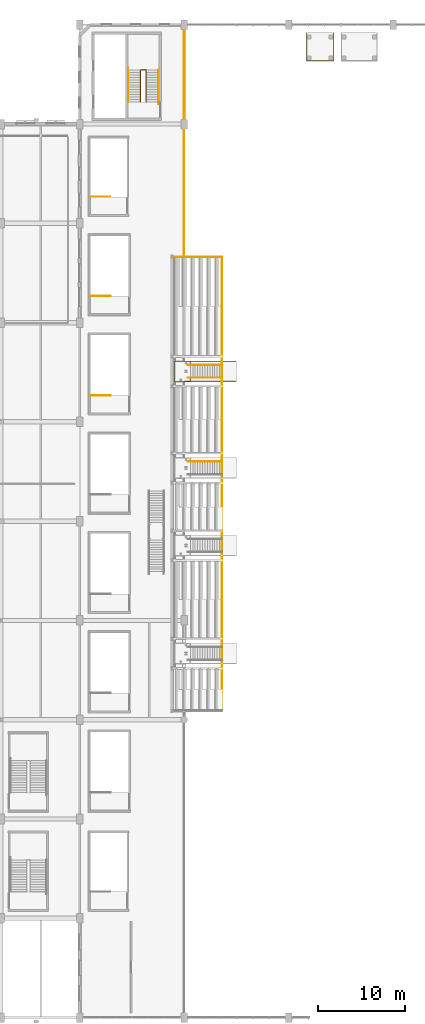
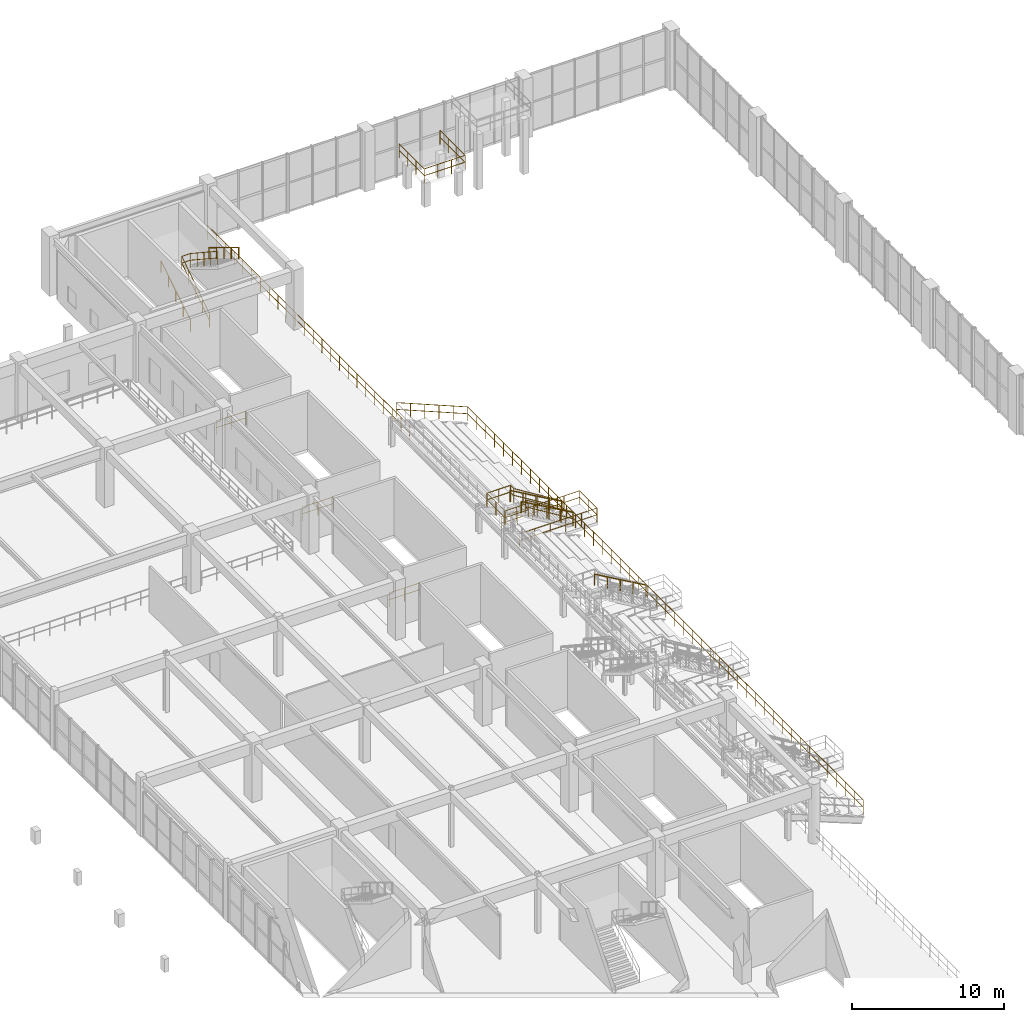
# One storey, part 104 of 106: 15 railings.
"""IFC4 building model written with IfcOpenShell, lengths in metres."""

from ifc_helpers import new_model, si_unit, direction, frame, origin, origin_2d, place, context, subcontext, project, spatial, circle, extrude, material, layer, layer_set, type_object, element, save


model = new_model("IFC4")

# Units and contexts
model_context = context("Model", 3, precision=1e-05, world=origin(), true_north=direction((0.0, 1.0)))
body_context = subcontext(model_context, "Body", "Model", "MODEL_VIEW")
ifc_project = project(units=[si_unit("LENGTHUNIT", "METRE"), si_unit("AREAUNIT", "SQUARE_METRE"), si_unit("VOLUMEUNIT", "CUBIC_METRE"), si_unit("PLANEANGLEUNIT", "RADIAN"), si_unit("MASSUNIT", "GRAM", prefix="KILO"), si_unit("POWERUNIT", "WATT"), si_unit("THERMODYNAMICTEMPERATUREUNIT", "KELVIN")], contexts=[model_context])

# Site, building, storey
site_placement = place(None, origin())
site = spatial("IfcSite", under=ifc_project, at=site_placement, CompositionType="ELEMENT")
building_placement = place(site_placement, origin())
building = spatial("IfcBuilding", under=site, at=building_placement, Name="Kelmbourne Parkland Aquatics Centre", CompositionType="ELEMENT")
storey_placement = place(building_placement, frame((0.0, 0.0, 5.39990234375)))
storey = spatial("IfcBuildingStorey", under=building, at=storey_placement, Name="L01", CompositionType="ELEMENT", Elevation=5.39990234375)

# Railings
ifc_material_1 = material(Name="Grade 316 stainless steel and laminated glass balustrade", Category="glass")
ifc_layer = layer(ifc_material_1, 0.06005859375)
ifc_layer_set = layer_set([ifc_layer], Name="Grade 316 stainless steel and laminated glass balustrade")
railing_type_1 = type_object("IfcRailingType", Name="RL-BL-114", PredefinedType="BALUSTRADE", material=ifc_layer_set)
railing_1_placement = place(storey_placement, frame((139.949951171875, 88.14990234375, 0.0)))
element("IfcRailing", 1, at=railing_1_placement, inside=storey, type_object=railing_type_1, Name="Safety balustrade BAL-CONC-N", PredefinedType="BALUSTRADE", context=body_context, shape_type="SweptSolid", body=[
    extrude(circle(Radius=0.02392578125, at=origin_2d()), frame((0.0, 0.0, 1.11572265625), z_axis=(0.0, 1.0, 0.0), x_axis=(-1.0, 0.0, 0.0)), (0.0, 0.0, 1.0), 26.60009765625),
    extrude(circle(Radius=0.02392578125, at=origin_2d()), frame((0.0, 0.0, 0.56982421875), z_axis=(0.0, 1.0, 0.0), x_axis=(-1.0, 0.0, 0.0)), (0.0, 0.0, 1.0), 26.60009765625),
    extrude(circle(Radius=0.02099609375, at=origin_2d()), origin(), (0.0, 0.0, 1.0), 1.091796875),
    extrude(circle(Radius=0.02099609375, at=origin_2d()), frame((0.0, 1.156494140625, 0.0)), (0.0, 0.0, 1.0), 1.091796875),
    extrude(circle(Radius=0.02099609375, at=origin_2d()), frame((0.0, 2.31298828125, 0.0)), (0.0, 0.0, 1.0), 1.091796875),
    extrude(circle(Radius=0.02099609375, at=origin_2d()), frame((0.0, 3.469482421875, 0.0)), (0.0, 0.0, 1.0), 1.091796875),
    extrude(circle(Radius=0.02099609375, at=origin_2d()), frame((0.0, 4.626220703125, 0.0)), (0.0, 0.0, 1.0), 1.091796875),
    extrude(circle(Radius=0.02099609375, at=origin_2d()), frame((0.0, 5.78271484375, 0.0)), (0.0, 0.0, 1.0), 1.091796875),
    extrude(circle(Radius=0.02099609375, at=origin_2d()), frame((0.0, 6.939208984375, 0.0)), (0.0, 0.0, 1.0), 1.091796875),
    extrude(circle(Radius=0.02099609375, at=origin_2d()), frame((0.0, 8.095703125, 0.0)), (0.0, 0.0, 1.0), 1.091796875),
    extrude(circle(Radius=0.02099609375, at=origin_2d()), frame((0.0, 9.252197265625, 0.0)), (0.0, 0.0, 1.0), 1.091796875),
    extrude(circle(Radius=0.02099609375, at=origin_2d()), frame((0.0, 10.40869140625, 0.0)), (0.0, 0.0, 1.0), 1.091796875),
    extrude(circle(Radius=0.02099609375, at=origin_2d()), frame((0.0, 11.565185546875, 0.0)), (0.0, 0.0, 1.0), 1.091796875),
    extrude(circle(Radius=0.02099609375, at=origin_2d()), frame((0.0, 12.7216796875, 0.0)), (0.0, 0.0, 1.0), 1.091796875),
    extrude(circle(Radius=0.02099609375, at=origin_2d()), frame((0.0, 13.87841796875, 0.0)), (0.0, 0.0, 1.0), 1.091796875),
    extrude(circle(Radius=0.02099609375, at=origin_2d()), frame((0.0, 15.034912109375, 0.0)), (0.0, 0.0, 1.0), 1.091796875),
    extrude(circle(Radius=0.02099609375, at=origin_2d()), frame((0.0, 16.19140625, 0.0)), (0.0, 0.0, 1.0), 1.091796875),
    extrude(circle(Radius=0.02099609375, at=origin_2d()), frame((0.0, 17.347900390625, 0.0)), (0.0, 0.0, 1.0), 1.091796875),
    extrude(circle(Radius=0.02099609375, at=origin_2d()), frame((0.0, 18.50439453125, 0.0)), (0.0, 0.0, 1.0), 1.091796875),
    extrude(circle(Radius=0.02099609375, at=origin_2d()), frame((0.0, 19.660888671875, 0.0)), (0.0, 0.0, 1.0), 1.091796875),
    extrude(circle(Radius=0.02099609375, at=origin_2d()), frame((0.0, 20.8173828125, 0.0)), (0.0, 0.0, 1.0), 1.091796875),
    extrude(circle(Radius=0.02099609375, at=origin_2d()), frame((0.0, 21.973876953125, 0.0)), (0.0, 0.0, 1.0), 1.091796875),
    extrude(circle(Radius=0.02099609375, at=origin_2d()), frame((0.0, 23.130615234375, 0.0)), (0.0, 0.0, 1.0), 1.091796875),
    extrude(circle(Radius=0.02099609375, at=origin_2d()), frame((0.0, 24.287109375, 0.0)), (0.0, 0.0, 1.0), 1.091796875),
    extrude(circle(Radius=0.02099609375, at=origin_2d()), frame((0.0, 25.443603515625, 0.0)), (0.0, 0.0, 1.0), 1.091796875),
    extrude(circle(Radius=0.02099609375, at=origin_2d()), frame((0.0, 26.60009765625, 0.0)), (0.0, 0.0, 1.0), 1.091796875),
])
railing_2_placement = place(storey_placement, frame((144.35009765625, 36.050048828125, 0.0)))
element("IfcRailing", 2, at=railing_2_placement, inside=storey, type_object=railing_type_1, Name="Safety balustrade BAL-BOWL-FRT", PredefinedType="BALUSTRADE", context=body_context, shape_type="SweptSolid", body=[
    extrude(circle(Radius=0.02392578125, at=origin_2d()), frame((0.0, 0.0, 1.11572265625), z_axis=(0.0, 1.0, 0.0), x_axis=(-1.0, 0.0, 0.0)), (0.0, 0.0, 1.0), 52.099853515625),
    extrude(circle(Radius=0.02392578125, at=origin_2d()), frame((0.0, 0.0, 0.56982421875), z_axis=(0.0, 1.0, 0.0), x_axis=(-1.0, 0.0, 0.0)), (0.0, 0.0, 1.0), 52.099853515625),
    extrude(circle(Radius=0.02099609375, at=origin_2d()), origin(), (0.0, 0.0, 1.0), 1.091796875),
    extrude(circle(Radius=0.02099609375, at=origin_2d()), frame((0.0, 1.18408203125, 0.0)), (0.0, 0.0, 1.0), 1.091796875),
    extrude(circle(Radius=0.02099609375, at=origin_2d()), frame((0.0, 2.3681640625, 0.0)), (0.0, 0.0, 1.0), 1.091796875),
    extrude(circle(Radius=0.02099609375, at=origin_2d()), frame((0.0, 3.55224609375, 0.0)), (0.0, 0.0, 1.0), 1.091796875),
    extrude(circle(Radius=0.02099609375, at=origin_2d()), frame((0.0, 4.736328125, 0.0)), (0.0, 0.0, 1.0), 1.091796875),
    extrude(circle(Radius=0.02099609375, at=origin_2d()), frame((0.0, 5.92041015625, 0.0)), (0.0, 0.0, 1.0), 1.091796875),
    extrude(circle(Radius=0.02099609375, at=origin_2d()), frame((0.0, 7.1044921875, 0.0)), (0.0, 0.0, 1.0), 1.091796875),
    extrude(circle(Radius=0.02099609375, at=origin_2d()), frame((0.0, 8.28857421875, 0.0)), (0.0, 0.0, 1.0), 1.091796875),
    extrude(circle(Radius=0.02099609375, at=origin_2d()), frame((0.0, 9.47265625, 0.0)), (0.0, 0.0, 1.0), 1.091796875),
    extrude(circle(Radius=0.02099609375, at=origin_2d()), frame((0.0, 10.65673828125, 0.0)), (0.0, 0.0, 1.0), 1.091796875),
    extrude(circle(Radius=0.02099609375, at=origin_2d()), frame((0.0, 11.8408203125, 0.0)), (0.0, 0.0, 1.0), 1.091796875),
    extrude(circle(Radius=0.02099609375, at=origin_2d()), frame((0.0, 13.02490234375, 0.0)), (0.0, 0.0, 1.0), 1.091796875),
    extrude(circle(Radius=0.02099609375, at=origin_2d()), frame((0.0, 14.208984375, 0.0)), (0.0, 0.0, 1.0), 1.091796875),
    extrude(circle(Radius=0.02099609375, at=origin_2d()), frame((0.0, 15.39306640625, 0.0)), (0.0, 0.0, 1.0), 1.091796875),
    extrude(circle(Radius=0.02099609375, at=origin_2d()), frame((0.0, 16.5771484375, 0.0)), (0.0, 0.0, 1.0), 1.091796875),
    extrude(circle(Radius=0.02099609375, at=origin_2d()), frame((0.0, 17.76123046875, 0.0)), (0.0, 0.0, 1.0), 1.091796875),
    extrude(circle(Radius=0.02099609375, at=origin_2d()), frame((0.0, 18.9453125, 0.0)), (0.0, 0.0, 1.0), 1.091796875),
    extrude(circle(Radius=0.02099609375, at=origin_2d()), frame((0.0, 20.12939453125, 0.0)), (0.0, 0.0, 1.0), 1.091796875),
    extrude(circle(Radius=0.02099609375, at=origin_2d()), frame((0.0, 21.3134765625, 0.0)), (0.0, 0.0, 1.0), 1.091796875),
    extrude(circle(Radius=0.02099609375, at=origin_2d()), frame((0.0, 22.49755859375, 0.0)), (0.0, 0.0, 1.0), 1.091796875),
    extrude(circle(Radius=0.02099609375, at=origin_2d()), frame((0.0, 23.681640625, 0.0)), (0.0, 0.0, 1.0), 1.091796875),
    extrude(circle(Radius=0.02099609375, at=origin_2d()), frame((0.0, 24.86572265625, 0.0)), (0.0, 0.0, 1.0), 1.091796875),
    extrude(circle(Radius=0.02099609375, at=origin_2d()), frame((0.0, 26.0498046875, 0.0)), (0.0, 0.0, 1.0), 1.091796875),
    extrude(circle(Radius=0.02099609375, at=origin_2d()), frame((0.0, 27.234130859375, 0.0)), (0.0, 0.0, 1.0), 1.091796875),
    extrude(circle(Radius=0.02099609375, at=origin_2d()), frame((0.0, 28.418212890625, 0.0)), (0.0, 0.0, 1.0), 1.091796875),
    extrude(circle(Radius=0.02099609375, at=origin_2d()), frame((0.0, 29.602294921875, 0.0)), (0.0, 0.0, 1.0), 1.091796875),
    extrude(circle(Radius=0.02099609375, at=origin_2d()), frame((0.0, 30.786376953125, 0.0)), (0.0, 0.0, 1.0), 1.091796875),
    extrude(circle(Radius=0.02099609375, at=origin_2d()), frame((0.0, 31.970458984375, 0.0)), (0.0, 0.0, 1.0), 1.091796875),
    extrude(circle(Radius=0.02099609375, at=origin_2d()), frame((0.0, 33.154541015625, 0.0)), (0.0, 0.0, 1.0), 1.091796875),
    extrude(circle(Radius=0.02099609375, at=origin_2d()), frame((0.0, 34.338623046875, 0.0)), (0.0, 0.0, 1.0), 1.091796875),
    extrude(circle(Radius=0.02099609375, at=origin_2d()), frame((0.0, 35.522705078125, 0.0)), (0.0, 0.0, 1.0), 1.091796875),
    extrude(circle(Radius=0.02099609375, at=origin_2d()), frame((0.0, 36.706787109375, 0.0)), (0.0, 0.0, 1.0), 1.091796875),
    extrude(circle(Radius=0.02099609375, at=origin_2d()), frame((0.0, 37.890869140625, 0.0)), (0.0, 0.0, 1.0), 1.091796875),
    extrude(circle(Radius=0.02099609375, at=origin_2d()), frame((0.0, 39.074951171875, 0.0)), (0.0, 0.0, 1.0), 1.091796875),
    extrude(circle(Radius=0.02099609375, at=origin_2d()), frame((0.0, 40.259033203125, 0.0)), (0.0, 0.0, 1.0), 1.091796875),
    extrude(circle(Radius=0.02099609375, at=origin_2d()), frame((0.0, 41.443115234375, 0.0)), (0.0, 0.0, 1.0), 1.091796875),
    extrude(circle(Radius=0.02099609375, at=origin_2d()), frame((0.0, 42.627197265625, 0.0)), (0.0, 0.0, 1.0), 1.091796875),
    extrude(circle(Radius=0.02099609375, at=origin_2d()), frame((0.0, 43.811279296875, 0.0)), (0.0, 0.0, 1.0), 1.091796875),
    extrude(circle(Radius=0.02099609375, at=origin_2d()), frame((0.0, 44.995361328125, 0.0)), (0.0, 0.0, 1.0), 1.091796875),
    extrude(circle(Radius=0.02099609375, at=origin_2d()), frame((0.0, 46.179443359375, 0.0)), (0.0, 0.0, 1.0), 1.091796875),
    extrude(circle(Radius=0.02099609375, at=origin_2d()), frame((0.0, 47.363525390625, 0.0)), (0.0, 0.0, 1.0), 1.091796875),
    extrude(circle(Radius=0.02099609375, at=origin_2d()), frame((0.0, 48.547607421875, 0.0)), (0.0, 0.0, 1.0), 1.091796875),
    extrude(circle(Radius=0.02099609375, at=origin_2d()), frame((0.0, 49.731689453125, 0.0)), (0.0, 0.0, 1.0), 1.091796875),
    extrude(circle(Radius=0.02099609375, at=origin_2d()), frame((0.0, 50.915771484375, 0.0)), (0.0, 0.0, 1.0), 1.091796875),
    extrude(circle(Radius=0.02099609375, at=origin_2d()), frame((0.0, 52.099853515625, 0.0)), (0.0, 0.0, 1.0), 1.091796875),
])
railing_3_placement = place(storey_placement, frame((144.35009765625, 88.14990234375, 0.0)))
element("IfcRailing", 3, at=railing_3_placement, inside=storey, type_object=railing_type_1, Name="Safety balustrade BAL-BOWL-SN", PredefinedType="BALUSTRADE", context=body_context, shape_type="SweptSolid", body=[
    extrude(circle(Radius=0.02392578125, at=origin_2d()), frame((0.0, 0.0, 1.11572265625), z_axis=(-0.923834561314, 0.0, 0.382791984402), x_axis=(0.0, -1.0, 0.0)), (0.0, 0.0, 1.0), 5.8779296875),
    extrude(circle(Radius=0.02392578125, at=origin_2d()), frame((0.0, 0.0, 0.56982421875), z_axis=(-0.923834561314, 0.0, 0.382791984402), x_axis=(0.0, -1.0, 0.0)), (0.0, 0.0, 1.0), 5.8779296875),
    extrude(circle(Radius=0.02099609375, at=origin_2d()), origin(), (0.0, 0.0, 1.0), 1.091796875),
    extrude(circle(Radius=0.02099609375, at=origin_2d()), frame((-1.0859375, 0.0, 0.449951171875)), (0.0, 0.0, 1.0), 1.091796875),
    extrude(circle(Radius=0.02099609375, at=origin_2d()), frame((-2.172119140625, 0.0, 0.89990234375)), (0.0, 0.0, 1.0), 1.091796875),
    extrude(circle(Radius=0.02099609375, at=origin_2d()), frame((-3.258056640625, 0.0, 1.35009765625)), (0.0, 0.0, 1.0), 1.091796875),
    extrude(circle(Radius=0.02099609375, at=origin_2d()), frame((-4.34423828125, 0.0, 1.800048828125)), (0.0, 0.0, 1.0), 1.091796875),
    extrude(circle(Radius=0.02099609375, at=origin_2d()), frame((-5.43017578125, 0.0, 2.25)), (0.0, 0.0, 1.0), 1.091796875),
])
railing_4_placement = place(storey_placement, frame((154.050048828125, 113.949951171875, 2.10009765625)))
element("IfcRailing", 4, at=railing_4_placement, inside=storey, type_object=railing_type_1, Name="Safety balustrade BAL-DIVE-7M5", PredefinedType="BALUSTRADE", context=body_context, shape_type="SweptSolid", body=[
    extrude(circle(Radius=0.02392578125, at=origin_2d()), frame((0.0, 0.0, 1.11572265625), z_axis=(0.0, -1.0, 0.0), x_axis=(1.0, 0.0, 0.0)), (0.0, 0.0, 1.0), 3.300048828125),
    extrude(circle(Radius=0.02392578125, at=origin_2d()), frame((0.0, 0.0, 0.56982421875), z_axis=(0.0, -1.0, 0.0), x_axis=(1.0, 0.0, 0.0)), (0.0, 0.0, 1.0), 3.300048828125),
    extrude(circle(Radius=0.02392578125, at=origin_2d()), frame((0.0, -3.300048828125, 1.11572265625), z_axis=(1.0, 0.0, 0.0), x_axis=(0.0, 1.0, 0.0)), (0.0, 0.0, 1.0), 3.099853515625),
    extrude(circle(Radius=0.02392578125, at=origin_2d()), frame((0.0, -3.300048828125, 0.56982421875), z_axis=(1.0, 0.0, 0.0), x_axis=(0.0, 1.0, 0.0)), (0.0, 0.0, 1.0), 3.099853515625),
    extrude(circle(Radius=0.02392578125, at=origin_2d()), frame((3.099853515625, -3.300048828125, 1.11572265625), z_axis=(0.0, 1.0, 0.0), x_axis=(-1.0, 0.0, 0.0)), (0.0, 0.0, 1.0), 3.300048828125),
    extrude(circle(Radius=0.02392578125, at=origin_2d()), frame((3.099853515625, -3.300048828125, 0.56982421875), z_axis=(0.0, 1.0, 0.0), x_axis=(-1.0, 0.0, 0.0)), (0.0, 0.0, 1.0), 3.300048828125),
    extrude(circle(Radius=0.02099609375, at=origin_2d()), origin(), (0.0, 0.0, 1.0), 1.091796875),
    extrude(circle(Radius=0.02099609375, at=origin_2d()), frame((0.0, -1.10009765625, 0.0)), (0.0, 0.0, 1.0), 1.091796875),
    extrude(circle(Radius=0.02099609375, at=origin_2d()), frame((0.0, -2.199951171875, 0.0)), (0.0, 0.0, 1.0), 1.091796875),
    extrude(circle(Radius=0.02099609375, at=origin_2d()), frame((0.0, -3.300048828125, 0.0)), (0.0, 0.0, 1.0), 1.091796875),
    extrude(circle(Radius=0.02099609375, at=origin_2d()), frame((1.033203125, -3.300048828125, 0.0)), (0.0, 0.0, 1.0), 1.091796875),
    extrude(circle(Radius=0.02099609375, at=origin_2d()), frame((2.066650390625, -3.300048828125, 0.0)), (0.0, 0.0, 1.0), 1.091796875),
    extrude(circle(Radius=0.02099609375, at=origin_2d()), frame((3.099853515625, -3.300048828125, 0.0)), (0.0, 0.0, 1.0), 1.091796875),
    extrude(circle(Radius=0.02099609375, at=origin_2d()), frame((3.099853515625, -2.199951171875, 0.0)), (0.0, 0.0, 1.0), 1.091796875),
    extrude(circle(Radius=0.02099609375, at=origin_2d()), frame((3.099853515625, -1.10009765625, 0.0)), (0.0, 0.0, 1.0), 1.091796875),
    extrude(circle(Radius=0.02099609375, at=origin_2d()), frame((3.099853515625, 0.0, 0.0)), (0.0, 0.0, 1.0), 1.091796875),
])
ifc_material_2 = material(Name="Grade 316 marine stainless steel", Category="steel")
railing_type_2 = type_object("IfcRailingType", Name="RL-GD-112", PredefinedType="GUARDRAIL", material=ifc_material_2)
railing_5_placement = place(storey_placement, frame((134.9951171875, 105.949951171875, 0.0)))
element("IfcRailing", 5, at=railing_5_placement, inside=storey, type_object=railing_type_2, Name="North Diving Control Fire-Fighting Core Stair ST05 well guardrail", PredefinedType="GUARDRAIL", context=body_context, shape_type="SweptSolid", body=[
    extrude(circle(Radius=0.02392578125, at=origin_2d()), frame((0.0, 0.0, 1.09619140625), z_axis=(0.0, 0.834856447115, 0.55046772177), x_axis=(-1.0, 0.0, 0.0)), (0.0, 0.0, 1.0), 4.360107421875),
    extrude(circle(Radius=0.02392578125, at=origin_2d()), frame((0.0, 0.0, 0.56005859375), z_axis=(0.0, 0.834856447115, 0.55046772177), x_axis=(-1.0, 0.0, 0.0)), (0.0, 0.0, 1.0), 4.360107421875),
    extrude(circle(Radius=0.02392578125, at=origin_2d()), frame((0.0, 3.64013671875, 3.49609375), z_axis=(1.0, 0.0, 0.0), x_axis=(0.0, 1.0, 0.0)), (0.0, 0.0, 1.0), 0.634765625),
    extrude(circle(Radius=0.02392578125, at=origin_2d()), frame((0.0, 3.64013671875, 2.960205078125), z_axis=(1.0, 0.0, 0.0), x_axis=(0.0, 1.0, 0.0)), (0.0, 0.0, 1.0), 0.634765625),
    extrude(circle(Radius=0.02392578125, at=origin_2d()), frame((0.634765625, 3.64013671875, 3.49609375), z_axis=(0.0, -0.83488217925, 0.55042869363), x_axis=(1.0, 0.0, 0.0)), (0.0, 0.0, 1.0), 4.360107421875),
    extrude(circle(Radius=0.02392578125, at=origin_2d()), frame((0.634765625, 3.64013671875, 2.960205078125), z_axis=(0.0, -0.83488217925, 0.55042869363), x_axis=(1.0, 0.0, 0.0)), (0.0, 0.0, 1.0), 4.360107421875),
    extrude(circle(Radius=0.02099609375, at=origin_2d()), origin(), (0.0, 0.0, 1.0), 1.072021484375),
    extrude(circle(Radius=0.02099609375, at=origin_2d()), frame((0.0, 0.91015625, 0.60009765625)), (0.0, 0.0, 1.0), 1.072021484375),
    extrude(circle(Radius=0.02099609375, at=origin_2d()), frame((0.0, 1.820068359375, 1.2001953125)), (0.0, 0.0, 1.0), 1.072021484375),
    extrude(circle(Radius=0.02099609375, at=origin_2d()), frame((0.0, 2.72998046875, 1.800048828125)), (0.0, 0.0, 1.0), 1.072021484375),
    extrude(circle(Radius=0.02099609375, at=origin_2d()), frame((0.0, 3.64013671875, 2.400146484375)), (0.0, 0.0, 1.0), 1.072021484375),
    extrude(circle(Radius=0.02099609375, at=origin_2d()), frame((0.634765625, 3.64013671875, 2.400146484375)), (0.0, 0.0, 1.0), 1.072021484375),
    extrude(circle(Radius=0.02099609375, at=origin_2d()), frame((0.634765625, 2.72998046875, 3.0)), (0.0, 0.0, 1.0), 1.072021484375),
    extrude(circle(Radius=0.02099609375, at=origin_2d()), frame((0.634765625, 1.820068359375, 3.60009765625)), (0.0, 0.0, 1.0), 1.072021484375),
    extrude(circle(Radius=0.02099609375, at=origin_2d()), frame((0.634765625, 0.91015625, 4.2001953125)), (0.0, 0.0, 1.0), 1.072021484375),
    extrude(circle(Radius=0.02099609375, at=origin_2d()), frame((0.634765625, 0.0, 4.800048828125)), (0.0, 0.0, 1.0), 1.072021484375),
])
railing_6_placement = place(storey_placement, frame((129.219970703125, 95.050048828125, 0.0)))
element("IfcRailing", 6, at=railing_6_placement, inside=storey, type_object=railing_type_2, Name="Main Bowl North Concourse Exit Stair top well guardrail", PredefinedType="GUARDRAIL", context=body_context, shape_type="SweptSolid", body=[
    extrude(circle(Radius=0.02392578125, at=origin_2d()), frame((0.0, 0.0, 1.09619140625), z_axis=(1.0, 0.0, 0.0), x_axis=(0.0, 1.0, 0.0)), (0.0, 0.0, 1.0), 2.260009765625),
    extrude(circle(Radius=0.02392578125, at=origin_2d()), frame((0.0, 0.0, 0.56005859375), z_axis=(1.0, 0.0, 0.0), x_axis=(0.0, 1.0, 0.0)), (0.0, 0.0, 1.0), 2.260009765625),
    extrude(circle(Radius=0.02099609375, at=origin_2d()), origin(), (0.0, 0.0, 1.0), 1.072021484375),
    extrude(circle(Radius=0.02099609375, at=origin_2d()), frame((1.1298828125, 0.0, 0.0)), (0.0, 0.0, 1.0), 1.072021484375),
    extrude(circle(Radius=0.02099609375, at=origin_2d()), frame((2.260009765625, 0.0, 0.0)), (0.0, 0.0, 1.0), 1.072021484375),
])
for number, where, name in (
    (7, (129.219970703125, 72.25, 0.0), "Spectator Bowl Exit Stair Bay 7 top well guardrail"),
    (8, (129.219970703125, 83.64990234375, 0.0), "Spectator Bowl Exit Stair Bay 8 top well guardrail"),
):
    element("IfcRailing", number, at=place(storey_placement, frame(where)), inside=storey, type_object=railing_type_2, Name=name, PredefinedType="GUARDRAIL", context=body_context, shape_type="SweptSolid", body=[
        extrude(circle(Radius=0.02392578125, at=origin_2d()), frame((0.0, 0.0, 1.09619140625), z_axis=(1.0, 0.0, 0.0), x_axis=(0.0, 1.0, 0.0)), (0.0, 0.0, 1.0), 2.31005859375),
        extrude(circle(Radius=0.02392578125, at=origin_2d()), frame((0.0, 0.0, 0.56005859375), z_axis=(1.0, 0.0, 0.0), x_axis=(0.0, 1.0, 0.0)), (0.0, 0.0, 1.0), 2.31005859375),
        extrude(circle(Radius=0.02099609375, at=origin_2d()), origin(), (0.0, 0.0, 1.0), 1.072021484375),
        extrude(circle(Radius=0.02099609375, at=origin_2d()), frame((1.155029296875, 0.0, 0.0)), (0.0, 0.0, 1.0), 1.072021484375),
        extrude(circle(Radius=0.02099609375, at=origin_2d()), frame((2.31005859375, 0.0, 0.0)), (0.0, 0.0, 1.0), 1.072021484375),
    ])
railing_7_placement = place(storey_placement, frame((140.02001953125, 73.85009765625, 0.0)))
element("IfcRailing", 9, at=railing_7_placement, inside=storey, type_object=railing_type_2, Name="VM04 lower landing guardrail", PredefinedType="GUARDRAIL", context=body_context, shape_type="SweptSolid", body=[
    extrude(circle(Radius=0.02392578125, at=origin_2d()), frame((0.0, 0.0, 1.09619140625), z_axis=(1.0, 0.0, 0.0), x_axis=(0.0, 1.0, 0.0)), (0.0, 0.0, 1.0), 5.919921875),
    extrude(circle(Radius=0.02392578125, at=origin_2d()), frame((0.0, 0.0, 0.56005859375), z_axis=(1.0, 0.0, 0.0), x_axis=(0.0, 1.0, 0.0)), (0.0, 0.0, 1.0), 5.919921875),
    extrude(circle(Radius=0.02392578125, at=origin_2d()), frame((5.919921875, 0.0, 1.09619140625), z_axis=(0.0, 1.0, 0.0), x_axis=(-1.0, 0.0, 0.0)), (0.0, 0.0, 1.0), 2.2998046875),
    extrude(circle(Radius=0.02392578125, at=origin_2d()), frame((5.919921875, 0.0, 0.56005859375), z_axis=(0.0, 1.0, 0.0), x_axis=(-1.0, 0.0, 0.0)), (0.0, 0.0, 1.0), 2.2998046875),
    extrude(circle(Radius=0.02392578125, at=origin_2d()), frame((5.919921875, 2.2998046875, 1.09619140625), z_axis=(-1.0, 0.0, 0.0), x_axis=(0.0, -1.0, 0.0)), (0.0, 0.0, 1.0), 5.919921875),
    extrude(circle(Radius=0.02392578125, at=origin_2d()), frame((5.919921875, 2.2998046875, 0.56005859375), z_axis=(-1.0, 0.0, 0.0), x_axis=(0.0, -1.0, 0.0)), (0.0, 0.0, 1.0), 5.919921875),
    extrude(circle(Radius=0.02099609375, at=origin_2d()), origin(), (0.0, 0.0, 1.0), 1.072021484375),
    extrude(circle(Radius=0.02099609375, at=origin_2d()), frame((1.18408203125, 0.0, 0.0)), (0.0, 0.0, 1.0), 1.072021484375),
    extrude(circle(Radius=0.02099609375, at=origin_2d()), frame((2.367919921875, 0.0, 0.0)), (0.0, 0.0, 1.0), 1.072021484375),
    extrude(circle(Radius=0.02099609375, at=origin_2d()), frame((3.552001953125, 0.0, 0.0)), (0.0, 0.0, 1.0), 1.072021484375),
    extrude(circle(Radius=0.02099609375, at=origin_2d()), frame((4.73583984375, 0.0, 0.0)), (0.0, 0.0, 1.0), 1.072021484375),
    extrude(circle(Radius=0.02099609375, at=origin_2d()), frame((5.919921875, 0.0, 0.0)), (0.0, 0.0, 1.0), 1.072021484375),
    extrude(circle(Radius=0.02099609375, at=origin_2d()), frame((5.919921875, 1.14990234375, 0.0)), (0.0, 0.0, 1.0), 1.072021484375),
    extrude(circle(Radius=0.02099609375, at=origin_2d()), frame((5.919921875, 2.2998046875, 0.0)), (0.0, 0.0, 1.0), 1.072021484375),
    extrude(circle(Radius=0.02099609375, at=origin_2d()), frame((4.73583984375, 2.2998046875, 0.0)), (0.0, 0.0, 1.0), 1.072021484375),
    extrude(circle(Radius=0.02099609375, at=origin_2d()), frame((3.552001953125, 2.2998046875, 0.0)), (0.0, 0.0, 1.0), 1.072021484375),
    extrude(circle(Radius=0.02099609375, at=origin_2d()), frame((2.367919921875, 2.2998046875, 0.0)), (0.0, 0.0, 1.0), 1.072021484375),
    extrude(circle(Radius=0.02099609375, at=origin_2d()), frame((1.18408203125, 2.2998046875, 0.0)), (0.0, 0.0, 1.0), 1.072021484375),
    extrude(circle(Radius=0.02099609375, at=origin_2d()), frame((0.0, 2.2998046875, 0.0)), (0.0, 0.0, 1.0), 1.072021484375),
])
railing_8_placement = place(storey_placement, frame((144.340087890625, 74.25, 0.0)))
element("IfcRailing", 10, at=railing_8_placement, inside=storey, type_object=railing_type_2, Name="VM04 upper flight and landing guardrail", PredefinedType="GUARDRAIL", context=body_context, shape_type="SweptSolid", body=[
    extrude(circle(Radius=0.02392578125, at=origin_2d()), frame((0.0, 0.0, 1.09619140625), z_axis=(-0.850622404505, 0.0, 0.525777067734), x_axis=(0.0, -1.0, 0.0)), (0.0, 0.0, 1.0), 4.279296875),
    extrude(circle(Radius=0.02392578125, at=origin_2d()), frame((0.0, 0.0, 0.56005859375), z_axis=(-0.850622404505, 0.0, 0.525777067734), x_axis=(0.0, -1.0, 0.0)), (0.0, 0.0, 1.0), 4.279296875),
    extrude(circle(Radius=0.02392578125, at=origin_2d()), frame((-3.64013671875, 0.0, 3.34619140625), z_axis=(0.0, -1.0, 0.0), x_axis=(1.0, 0.0, 0.0)), (0.0, 0.0, 1.0), 0.429931640625),
    extrude(circle(Radius=0.02392578125, at=origin_2d()), frame((-3.64013671875, 0.0, 2.81005859375), z_axis=(0.0, -1.0, 0.0), x_axis=(1.0, 0.0, 0.0)), (0.0, 0.0, 1.0), 0.429931640625),
    extrude(circle(Radius=0.02392578125, at=origin_2d()), frame((-3.64013671875, -0.429931640625, 3.34619140625), z_axis=(-1.0, 0.0, 0.0), x_axis=(0.0, -1.0, 0.0)), (0.0, 0.0, 1.0), 1.780029296875),
    extrude(circle(Radius=0.02392578125, at=origin_2d()), frame((-3.64013671875, -0.429931640625, 2.81005859375), z_axis=(-1.0, 0.0, 0.0), x_axis=(0.0, -1.0, 0.0)), (0.0, 0.0, 1.0), 1.780029296875),
    extrude(circle(Radius=0.02392578125, at=origin_2d()), frame((-5.420166015625, -0.429931640625, 3.34619140625), z_axis=(0.0, 1.0, 0.0), x_axis=(-1.0, 0.0, 0.0)), (0.0, 0.0, 1.0), 2.35986328125),
    extrude(circle(Radius=0.02392578125, at=origin_2d()), frame((-5.420166015625, -0.429931640625, 2.81005859375), z_axis=(0.0, 1.0, 0.0), x_axis=(-1.0, 0.0, 0.0)), (0.0, 0.0, 1.0), 2.35986328125),
    extrude(circle(Radius=0.02392578125, at=origin_2d()), frame((-5.420166015625, 1.929931640625, 3.34619140625), z_axis=(1.0, 0.0, 0.0), x_axis=(0.0, 1.0, 0.0)), (0.0, 0.0, 1.0), 1.780029296875),
    extrude(circle(Radius=0.02392578125, at=origin_2d()), frame((-5.420166015625, 1.929931640625, 2.81005859375), z_axis=(1.0, 0.0, 0.0), x_axis=(0.0, 1.0, 0.0)), (0.0, 0.0, 1.0), 1.780029296875),
    extrude(circle(Radius=0.02392578125, at=origin_2d()), frame((-3.64013671875, 1.929931640625, 3.34619140625), z_axis=(0.0, -1.0, 0.0), x_axis=(1.0, 0.0, 0.0)), (0.0, 0.0, 1.0), 0.429931640625),
    extrude(circle(Radius=0.02392578125, at=origin_2d()), frame((-3.64013671875, 1.929931640625, 2.81005859375), z_axis=(0.0, -1.0, 0.0), x_axis=(1.0, 0.0, 0.0)), (0.0, 0.0, 1.0), 0.429931640625),
    extrude(circle(Radius=0.02392578125, at=origin_2d()), frame((-3.64013671875, 1.5, 3.34619140625), z_axis=(0.850622404505, 0.0, -0.525777067734), x_axis=(0.0, 1.0, 0.0)), (0.0, 0.0, 1.0), 4.279296875),
    extrude(circle(Radius=0.02392578125, at=origin_2d()), frame((-3.64013671875, 1.5, 2.81005859375), z_axis=(0.850622404505, 0.0, -0.525777067734), x_axis=(0.0, 1.0, 0.0)), (0.0, 0.0, 1.0), 4.279296875),
    extrude(circle(Radius=0.02099609375, at=origin_2d()), origin(), (0.0, 0.0, 1.0), 1.072021484375),
    extrude(circle(Radius=0.02099609375, at=origin_2d()), frame((-0.91015625, 0.0, 0.5625)), (0.0, 0.0, 1.0), 1.072021484375),
    extrude(circle(Radius=0.02099609375, at=origin_2d()), frame((-1.820068359375, 0.0, 1.125)), (0.0, 0.0, 1.0), 1.072021484375),
    extrude(circle(Radius=0.02099609375, at=origin_2d()), frame((-2.72998046875, 0.0, 1.6875)), (0.0, 0.0, 1.0), 1.072021484375),
    extrude(circle(Radius=0.02099609375, at=origin_2d()), frame((-3.64013671875, 0.0, 2.25)), (0.0, 0.0, 1.0), 1.072021484375),
    extrude(circle(Radius=0.02099609375, at=origin_2d()), frame((-3.64013671875, -0.429931640625, 2.25)), (0.0, 0.0, 1.0), 1.072021484375),
    extrude(circle(Radius=0.02099609375, at=origin_2d()), frame((-4.5302734375, -0.429931640625, 2.25)), (0.0, 0.0, 1.0), 1.072021484375),
    extrude(circle(Radius=0.02099609375, at=origin_2d()), frame((-5.420166015625, -0.429931640625, 2.25)), (0.0, 0.0, 1.0), 1.072021484375),
    extrude(circle(Radius=0.02099609375, at=origin_2d()), frame((-5.420166015625, 0.75, 2.25)), (0.0, 0.0, 1.0), 1.072021484375),
    extrude(circle(Radius=0.02099609375, at=origin_2d()), frame((-5.420166015625, 1.929931640625, 2.25)), (0.0, 0.0, 1.0), 1.072021484375),
    extrude(circle(Radius=0.02099609375, at=origin_2d()), frame((-4.5302734375, 1.929931640625, 2.25)), (0.0, 0.0, 1.0), 1.072021484375),
    extrude(circle(Radius=0.02099609375, at=origin_2d()), frame((-3.64013671875, 1.929931640625, 2.25)), (0.0, 0.0, 1.0), 1.072021484375),
    extrude(circle(Radius=0.02099609375, at=origin_2d()), frame((-3.64013671875, 1.5, 2.25)), (0.0, 0.0, 1.0), 1.072021484375),
    extrude(circle(Radius=0.02099609375, at=origin_2d()), frame((-2.72998046875, 1.5, 1.6875)), (0.0, 0.0, 1.0), 1.072021484375),
    extrude(circle(Radius=0.02099609375, at=origin_2d()), frame((-1.820068359375, 1.5, 1.125)), (0.0, 0.0, 1.0), 1.072021484375),
    extrude(circle(Radius=0.02099609375, at=origin_2d()), frame((-0.91015625, 1.5, 0.5625)), (0.0, 0.0, 1.0), 1.072021484375),
    extrude(circle(Radius=0.02099609375, at=origin_2d()), frame((0.0, 1.5, 0.0)), (0.0, 0.0, 1.0), 1.072021484375),
])
railing_type_3 = type_object("IfcRailingType", Name="RL-HR-92", PredefinedType="HANDRAIL", material=ifc_material_2)
railing_9_placement = place(storey_placement, frame((133.56494140625, 105.949951171875, 0.17138671875)))
element("IfcRailing", 11, at=railing_9_placement, inside=storey, type_object=railing_type_3, Name="North Diving Control Fire-Fighting Core Stair ST05 F1 handrail", PredefinedType="HANDRAIL", context=body_context, shape_type="SweptSolid", body=[
    extrude(circle(Radius=0.02392578125, at=origin_2d()), frame((0.0, 0.0, 0.89599609375), z_axis=(0.0, 0.852846959695, 0.522160955394), x_axis=(-1.0, 0.0, 0.0)), (0.0, 0.0, 1.0), 4.5966796875),
    extrude(circle(Radius=0.02099609375, at=origin_2d()), origin(), (0.0, 0.0, 1.0), 0.871826171875),
    extrude(circle(Radius=0.02099609375, at=origin_2d()), frame((0.0, 0.97998046875, 0.60009765625)), (0.0, 0.0, 1.0), 0.871826171875),
    extrude(circle(Radius=0.02099609375, at=origin_2d()), frame((0.0, 1.9599609375, 1.2001953125)), (0.0, 0.0, 1.0), 0.871826171875),
    extrude(circle(Radius=0.02099609375, at=origin_2d()), frame((0.0, 2.940185546875, 1.800048828125)), (0.0, 0.0, 1.0), 0.871826171875),
    extrude(circle(Radius=0.02099609375, at=origin_2d()), frame((0.0, 3.920166015625, 2.400146484375)), (0.0, 0.0, 1.0), 0.871826171875),
])
railing_10_placement = place(storey_placement, frame((137.06005859375, 109.590087890625, 2.571533203125)))
element("IfcRailing", 12, at=railing_10_placement, inside=storey, type_object=railing_type_3, Name="North Diving Control Fire-Fighting Core Stair ST05 F2 handrail", PredefinedType="HANDRAIL", context=body_context, shape_type="SweptSolid", body=[
    extrude(circle(Radius=0.02392578125, at=origin_2d()), frame((0.0, 0.0, 0.89599609375), z_axis=(0.0, -0.852870612257, 0.522122321634), x_axis=(1.0, 0.0, 0.0)), (0.0, 0.0, 1.0), 4.596435546875),
    extrude(circle(Radius=0.02099609375, at=origin_2d()), origin(), (0.0, 0.0, 1.0), 0.871826171875),
    extrude(circle(Radius=0.02099609375, at=origin_2d()), frame((0.0, -0.97998046875, 0.60009765625)), (0.0, 0.0, 1.0), 0.871826171875),
    extrude(circle(Radius=0.02099609375, at=origin_2d()), frame((0.0, -1.9599609375, 1.199951171875)), (0.0, 0.0, 1.0), 0.871826171875),
    extrude(circle(Radius=0.02099609375, at=origin_2d()), frame((0.0, -2.940185546875, 1.7998046875)), (0.0, 0.0, 1.0), 0.871826171875),
    extrude(circle(Radius=0.02099609375, at=origin_2d()), frame((0.0, -3.920166015625, 2.39990234375)), (0.0, 0.0, 1.0), 0.871826171875),
])
for number, where, name in (
    (13, (144.340087890625, 64.6298828125, 0.160888671875), "VM03 north handrail"),
    (14, (144.340087890625, 74.27001953125, 0.160888671875), "VM04 south handrail"),
    (15, (144.340087890625, 75.72998046875, 0.160888671875), "VM04 north handrail"),
):
    element("IfcRailing", number, at=place(storey_placement, frame(where)), inside=storey, type_object=railing_type_3, Name=name, PredefinedType="HANDRAIL", context=body_context, shape_type="SweptSolid", body=[
        extrude(circle(Radius=0.02392578125, at=origin_2d()), frame((0.0, 0.0, 0.89599609375), z_axis=(-0.867297577681, 0.0, 0.497790027771), x_axis=(0.0, -1.0, 0.0)), (0.0, 0.0, 1.0), 4.52001953125),
        extrude(circle(Radius=0.02099609375, at=origin_2d()), origin(), (0.0, 0.0, 1.0), 0.871826171875),
        extrude(circle(Radius=0.02099609375, at=origin_2d()), frame((-0.97998046875, 0.0, 0.5625)), (0.0, 0.0, 1.0), 0.871826171875),
        extrude(circle(Radius=0.02099609375, at=origin_2d()), frame((-1.9599609375, 0.0, 1.125)), (0.0, 0.0, 1.0), 0.871826171875),
        extrude(circle(Radius=0.02099609375, at=origin_2d()), frame((-2.940185546875, 0.0, 1.6875)), (0.0, 0.0, 1.0), 0.871826171875),
        extrude(circle(Radius=0.02099609375, at=origin_2d()), frame((-3.920166015625, 0.0, 2.25)), (0.0, 0.0, 1.0), 0.871826171875),
    ])

save(model, "model.ifc")
